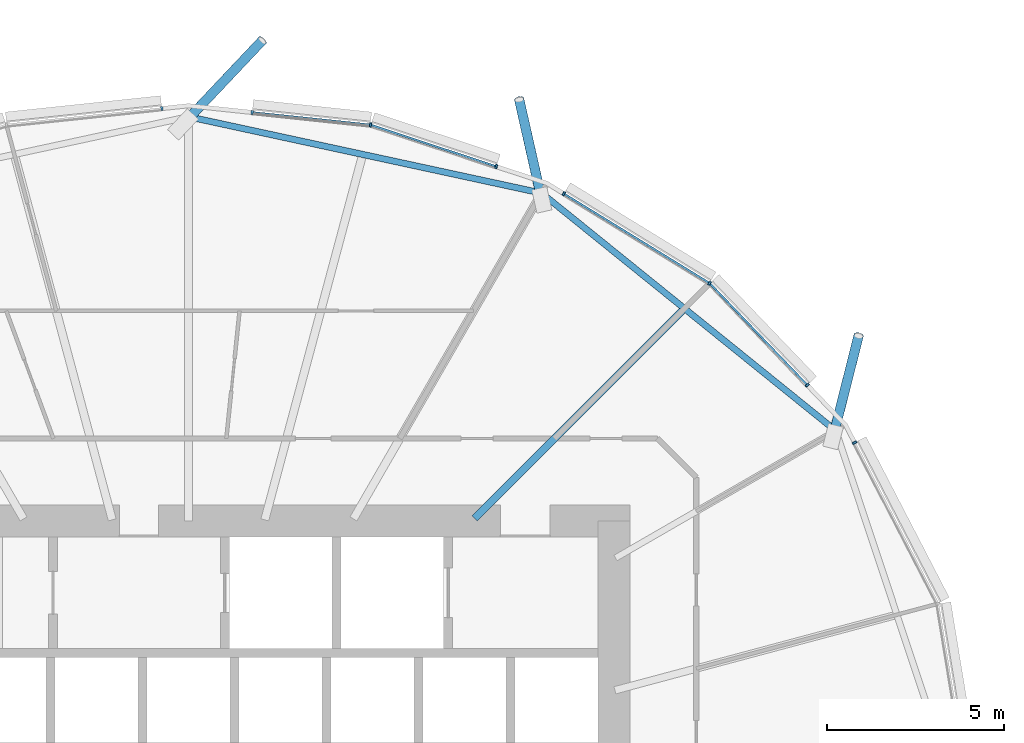
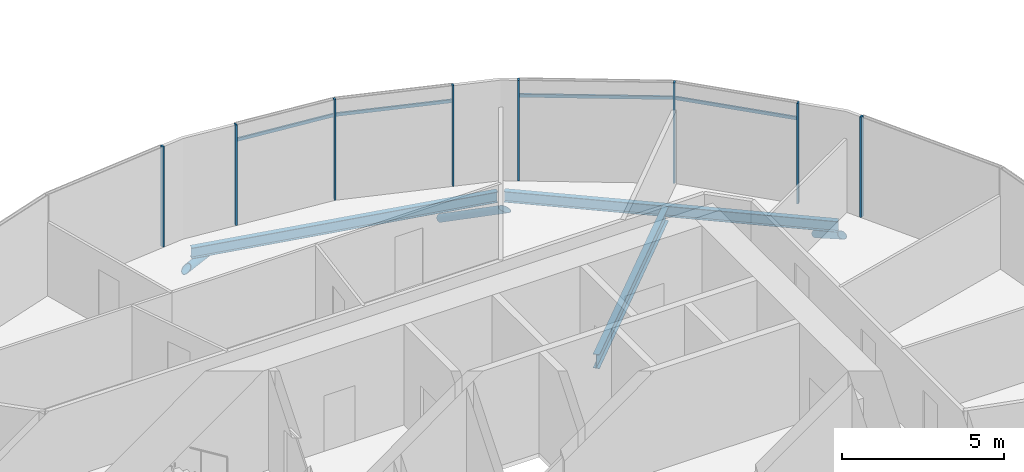
# One storey, part 11 of 36: 15 members, 3 beams, 1 element without a shape of its own.
"""IFC4 building model written with IfcOpenShell, lengths in metres."""

from ifc_helpers import new_model, si_unit, direction, frame, origin, origin_2d, place, context, subcontext, project, spatial, rectangle, hollow_circle, i_section, extrude, clip, halfspace, material, material_profile, profile_set, type_object, element, aggregate, save


model = new_model("IFC4")

# Units and contexts
model_context = context("Model", 3, precision=1e-05, world=origin(), true_north=direction((0.0, 1.0)))
body_context = subcontext(model_context, "Body", "Model", "MODEL_VIEW")
ifc_project = project(units=[si_unit("LENGTHUNIT", "METRE"), si_unit("AREAUNIT", "SQUARE_METRE"), si_unit("VOLUMEUNIT", "CUBIC_METRE"), si_unit("PLANEANGLEUNIT", "RADIAN"), si_unit("MASSUNIT", "GRAM", prefix="KILO")], contexts=[model_context])

# Site, building, storey
site_placement = place(None, origin())
site = spatial("IfcSite", under=ifc_project, at=site_placement, CompositionType="ELEMENT")
building_placement = place(site_placement, origin())
building = spatial("IfcBuilding", under=site, at=building_placement, Name="Rimbun Link Towers", CompositionType="ELEMENT")
storey_placement = place(building_placement, frame((0.0, 0.0, 37.60009765625)))
storey = spatial("IfcBuildingStorey", under=building, at=storey_placement, Name="L08", CompositionType="ELEMENT", Elevation=37.60009765625)

# Curtain wall, members
ifc_material_1 = material(Name="Aluminium 6063-T6 and low-iron glass", Category="aluminium")
curtain_wall_type = type_object("IfcCurtainWallType", Name="CW1 unitised vision wall", PredefinedType="NOTDEFINED", material=ifc_material_1)
curtain_wall_placement = place(storey_placement, origin())
curtain_wall = element("IfcCurtainWall", 1, at=curtain_wall_placement, inside=storey, type_object=curtain_wall_type, Name="CW1 L08 T1", PredefinedType="NOTDEFINED")
ifc_material_2 = material(Name="Aluminium 6063-T6", Category="aluminium")
ifc_material_profile_1 = material_profile(ifc_material_2, rectangle(XDim=0.1201171875, YDim=0.06005859375, at=origin_2d()), Name="MULLION 60X120")
ifc_profile_set_1 = profile_set([ifc_material_profile_1], Name="Aluminium 6063-T6")
member_type_1 = type_object("IfcMemberType", Name="CW1 mullion 60X120", PredefinedType="MULLION", material=ifc_profile_set_1)
member_1_placement = place(storey_placement, frame((-12.959228515625, 10.211181640625, 0.0), z_axis=(0.0, 0.0, 1.0), x_axis=(0.888152693678, 0.459548466118, 0.0)))
member_1 = element("IfcMember", 2, at=member_1_placement, type_object=member_type_1, Name="CW1 mullion", PredefinedType="MULLION", context=body_context, shape_type="SweptSolid", body=[
    extrude(rectangle(XDim=0.1201171875, YDim=0.06005859375, at=origin_2d()), origin(), (0.0, 0.0, 1.0), 3.7998046875),
])
member_2_placement = place(storey_placement, frame((-17.051513671875, 14.70751953125, 0.0), z_axis=(0.0, 0.0, 1.0), x_axis=(0.627666129139, 0.778482646134, 0.0)))
member_2 = element("IfcMember", 3, at=member_2_placement, type_object=member_type_1, Name="CW1 mullion", PredefinedType="MULLION", context=body_context, shape_type="SweptSolid", body=[
    extrude(rectangle(XDim=0.1201171875, YDim=0.06005859375, at=origin_2d()), origin(), (0.0, 0.0, 1.0), 3.7998046875),
])
member_3_placement = place(storey_placement, frame((-14.294677734375, 11.83251953125, 0.0), z_axis=(0.0, 0.0, 1.0), x_axis=(0.721844292424, 0.692055501744, 0.0)))
member_3 = element("IfcMember", 4, at=member_3_placement, type_object=member_type_1, Name="CW1 mullion", PredefinedType="MULLION", context=body_context, shape_type="SweptSolid", body=[
    extrude(rectangle(XDim=0.1201171875, YDim=0.06005859375, at=origin_2d()), origin(), (0.0, 0.0, 1.0), 3.7998046875),
])
member_4_placement = place(storey_placement, frame((-21.163818359375, 17.23291015625, 0.0), z_axis=(0.0, 0.0, 1.0), x_axis=(0.523232417417, 0.85219002421, 0.0)))
member_4 = element("IfcMember", 5, at=member_4_placement, type_object=member_type_1, Name="CW1 mullion", PredefinedType="MULLION", context=body_context, shape_type="SweptSolid", body=[
    extrude(rectangle(XDim=0.1201171875, YDim=0.06005859375, at=origin_2d()), origin(), (0.0, 0.0, 1.0), 3.7998046875),
])
member_5_placement = place(storey_placement, frame((-26.615478515625, 19.17333984375, 0.0), z_axis=(0.0, 0.0, 1.0), x_axis=(0.210876994137, 0.97751260521, 0.0)))
member_5 = element("IfcMember", 6, at=member_5_placement, type_object=member_type_1, Name="CW1 mullion", PredefinedType="MULLION", context=body_context, shape_type="SweptSolid", body=[
    extrude(rectangle(XDim=0.1201171875, YDim=0.06005859375, at=origin_2d()), origin(), (0.0, 0.0, 1.0), 3.7998046875),
])
member_6_placement = place(storey_placement, frame((-23.06884765625, 17.998291015625, 0.0), z_axis=(0.0, 0.0, 1.0), x_axis=(0.314563730837, 0.949236355837, 0.0)))
member_6 = element("IfcMember", 7, at=member_6_placement, type_object=member_type_1, Name="CW1 mullion", PredefinedType="MULLION", context=body_context, shape_type="SweptSolid", body=[
    extrude(rectangle(XDim=0.1201171875, YDim=0.06005859375, at=origin_2d()), origin(), (0.0, 0.0, 1.0), 3.7998046875),
])
member_7_placement = place(storey_placement, frame((-29.95361328125, 19.525390625, 0.0), z_axis=(0.0, 0.0, 1.0), x_axis=(0.104754525743, 0.994498109267, 0.0)))
member_7 = element("IfcMember", 8, at=member_7_placement, type_object=member_type_1, Name="CW1 mullion", PredefinedType="MULLION", context=body_context, shape_type="SweptSolid", body=[
    extrude(rectangle(XDim=0.1201171875, YDim=0.06005859375, at=origin_2d()), origin(), (0.0, 0.0, 1.0), 3.7998046875),
])
member_8_placement = place(storey_placement, frame((-32.502197265625, 19.63525390625, 0.0), z_axis=(0.0, 0.0, 1.0), x_axis=(-0.104754525743, 0.994498109267, 0.0)))
member_8 = element("IfcMember", 9, at=member_8_placement, type_object=member_type_1, Name="CW1 mullion", PredefinedType="MULLION", context=body_context, shape_type="SweptSolid", body=[
    extrude(rectangle(XDim=0.1201171875, YDim=0.06005859375, at=origin_2d()), origin(), (0.0, 0.0, 1.0), 3.7998046875),
])
ifc_material_3 = material(Name="Aluminium 6063-T6", Category="aluminium")
ifc_material_profile_2 = material_profile(ifc_material_3, rectangle(XDim=0.06005859375, YDim=0.1201171875, at=origin_2d()), Name="TRANSOM 60X120")
ifc_profile_set_2 = profile_set([ifc_material_profile_2], Name="Aluminium 6063-T6")
member_type_2 = type_object("IfcMemberType", Name="CW1 transom 60X120", PredefinedType="USERDEFINED", material=ifc_profile_set_2)
member_9_placement = place(storey_placement, frame((-17.026611328125, 14.67919921875, 3.199951171875), z_axis=(0.692047546787, -0.721851919015, 0.0), x_axis=(0.721851919015, 0.692047546787, 0.0)))
member_9 = element("IfcMember", 10, at=member_9_placement, type_object=member_type_2, Name="CW1 transom", ObjectType="TRANSOM", PredefinedType="USERDEFINED", context=body_context, shape_type="SweptSolid", body=[
    extrude(rectangle(XDim=0.06005859375, YDim=0.1201171875, at=origin_2d()), origin(), (0.0, 0.0, 1.0), 3.91552734375),
])
member_10_placement = place(storey_placement, frame((-21.139404296875, 17.215576171875, 3.199951171875), z_axis=(0.85218286568, -0.523244076356, 0.0), x_axis=(0.523244076356, 0.85218286568, 0.0)))
member_10 = element("IfcMember", 11, at=member_10_placement, type_object=member_type_2, Name="CW1 transom", ObjectType="TRANSOM", PredefinedType="USERDEFINED", context=body_context, shape_type="SweptSolid", body=[
    extrude(rectangle(XDim=0.06005859375, YDim=0.1201171875, at=origin_2d()), origin(), (0.0, 0.0, 1.0), 4.75830078125),
])
member_11_placement = place(storey_placement, frame((-26.58154296875, 19.160400390625, 3.199951171875), z_axis=(0.949227381323, -0.314590811288, 0.0), x_axis=(0.314590811288, 0.949227381323, 0.0)))
member_11 = element("IfcMember", 12, at=member_11_placement, type_object=member_type_2, Name="CW1 transom", ObjectType="TRANSOM", PredefinedType="USERDEFINED", context=body_context, shape_type="SweptSolid", body=[
    extrude(rectangle(XDim=0.06005859375, YDim=0.1201171875, at=origin_2d()), origin(), (0.0, 0.0, 1.0), 3.669921875),
])
member_12_placement = place(storey_placement, frame((-29.924072265625, 19.520263671875, 3.199951171875), z_axis=(0.994496504688, -0.104769757862, 0.0), x_axis=(0.104769757862, 0.994496504688, 0.0)))
member_12 = element("IfcMember", 13, at=member_12_placement, type_object=member_type_2, Name="CW1 transom", ObjectType="TRANSOM", PredefinedType="USERDEFINED", context=body_context, shape_type="SweptSolid", body=[
    extrude(rectangle(XDim=0.06005859375, YDim=0.1201171875, at=origin_2d()), origin(), (0.0, 0.0, 1.0), 3.290283203125),
])
aggregate(curtain_wall, [member_1, member_2, member_3, member_4, member_5, member_6, member_7, member_8, member_9, member_10, member_11, member_12])

# Members
ifc_material_4 = material(Name="Steel S355J2H", Category="steel")
ifc_material_profile_3 = material_profile(ifc_material_4, hollow_circle(Radius=0.136474609375, WallThickness=0.012451171875, at=origin_2d()), Name="CHS 273x12.5")
ifc_profile_set_3 = profile_set([ifc_material_profile_3], Name="Steel S355J2H")
member_type_3 = type_object("IfcMemberType", Name="Floor edge link CHS 273x12.5", PredefinedType="BRACE", material=ifc_profile_set_3)
member_13_placement = place(storey_placement, frame((-13.531494140625, 10.5185546875, -0.680908203125), z_axis=(0.205112293505, 0.810900591773, -0.548059465127), x_axis=(-0.969467266988, 0.245220754095, 0.0)))
element("IfcMember", 14, at=member_13_placement, inside=storey, type_object=member_type_3, Name="Floor edge link T1 L08 02", PredefinedType="BRACE", context=body_context, shape_type="Clipping", body=[
    clip(extrude(hollow_circle(Radius=0.136474609375, WallThickness=0.012451171875, at=origin_2d()), frame((0.0, 0.0, -0.434814453125)), (0.0, 0.0, 1.0), 3.784423828125), halfspace(frame((0.0, 0.0, -0.205078125), z_axis=(0.0, 0.836439371792, -0.548059465127)), False)),
])
member_14_placement = place(storey_placement, frame((-21.816650390625, 17.205078125, -0.878173828125), z_axis=(-0.185878520547, 0.824938743843, -0.533783893075), x_axis=(-0.975542013675, -0.219813055923, 0.0)))
element("IfcMember", 15, at=member_14_placement, inside=storey, type_object=member_type_3, Name="Floor edge link T1 L08 04", PredefinedType="BRACE", context=body_context, shape_type="Clipping", body=[
    clip(extrude(hollow_circle(Radius=0.136474609375, WallThickness=0.012451171875, at=origin_2d()), frame((0.0, 0.0, -0.451171875)), (0.0, 0.0, 1.0), 3.71630859375), halfspace(frame((0.0, 0.0, -0.212646484375), z_axis=(0.0, 0.845620928959, -0.533783893075)), False)),
])
member_15_placement = place(storey_placement, frame((-31.75, 19.352783203125, -0.886962890625), z_axis=(0.624151442625, 0.660240096298, -0.41775350616), x_axis=(-0.726688168714, 0.686967470446, 0.0)))
element("IfcMember", 16, at=member_15_placement, inside=storey, type_object=member_type_3, Name="Floor edge link T1 L08 06", PredefinedType="BRACE", context=body_context, shape_type="Clipping", body=[
    clip(extrude(hollow_circle(Radius=0.136474609375, WallThickness=0.012451171875, at=origin_2d()), frame((0.0, 0.0, -0.61767578125)), (0.0, 0.0, 1.0), 3.96630859375), halfspace(frame((0.0, 0.0, -0.292724609375), z_axis=(0.0, 0.908560404206, -0.41775350616)), False)),
])

# Beams
ifc_material_5 = material(Name="Steel S355J2", Category="steel")
ifc_material_profile_4 = material_profile(ifc_material_5, i_section(OverallWidth=0.177978515625, OverallDepth=0.406494140625, WebThickness=0.0078125, FlangeThickness=0.0126953125, at=origin_2d()), Name="UB 406x178x60")
ifc_profile_set_4 = profile_set([ifc_material_profile_4], Name="Steel S355J2")
beam_type_1 = type_object("IfcBeamType", Name="UB 406x178x60", PredefinedType="BEAM", material=ifc_profile_set_4)
beam_1_placement = place(storey_placement, frame((-13.56298828125, 10.60400390625, -0.36328125), z_axis=(-0.778016648359, 0.628243658843, 0.0), x_axis=(-0.628243658843, -0.778016648359, 0.0)))
element("IfcBeam", 17, at=beam_1_placement, inside=storey, type_object=beam_type_1, Name="Edge beam T1 L08 02-04", PredefinedType="BEAM", context=body_context, shape_type="SweptSolid", body=[
    extrude(i_section(OverallWidth=0.177978515625, OverallDepth=0.406494140625, WebThickness=0.0078125, FlangeThickness=0.0126953125, at=origin_2d()), origin(), (0.0, 0.0, 1.0), 10.460205078125),
])
beam_2_placement = place(storey_placement, frame((-21.9091796875, 17.27392578125, -0.36328125), z_axis=(-0.977391971445, 0.211435413673, 0.0), x_axis=(-0.211435413673, -0.977391971445, 0.0)))
element("IfcBeam", 18, at=beam_2_placement, inside=storey, type_object=beam_type_1, Name="Edge beam T1 L08 04-06", PredefinedType="BEAM", context=body_context, shape_type="SweptSolid", body=[
    extrude(i_section(OverallWidth=0.177978515625, OverallDepth=0.406494140625, WebThickness=0.0078125, FlangeThickness=0.0126953125, at=origin_2d()), origin(), (0.0, 0.0, 1.0), 9.950927734375),
])
ifc_material_6 = material(Name="Steel S355J2", Category="steel")
ifc_material_profile_5 = material_profile(ifc_material_6, i_section(OverallWidth=0.209228515625, OverallDepth=0.533203125, WebThickness=0.010009765625, FlangeThickness=0.015625, at=origin_2d()), Name="UB 533x210x92")
ifc_profile_set_5 = profile_set([ifc_material_profile_5], Name="Steel S355J2")
beam_type_2 = type_object("IfcBeamType", Name="UB 533x210x92", PredefinedType="BEAM", material=ifc_profile_set_5)
beam_3_placement = place(storey_placement, frame((-23.67529296875, 8.07470703125, -0.426513671875), z_axis=(0.707106781187, 0.707106781187, 0.0), x_axis=(-0.707106781187, 0.707106781187, 0.0)))
element("IfcBeam", 19, at=beam_3_placement, inside=storey, type_object=beam_type_2, Name="Radial beam T1 L08 03", PredefinedType="BEAM", context=body_context, shape_type="SweptSolid", body=[
    extrude(i_section(OverallWidth=0.209228515625, OverallDepth=0.533203125, WebThickness=0.010009765625, FlangeThickness=0.015625, at=origin_2d()), origin(), (0.0, 0.0, 1.0), 8.27734375),
])

save(model, "model.ifc")
